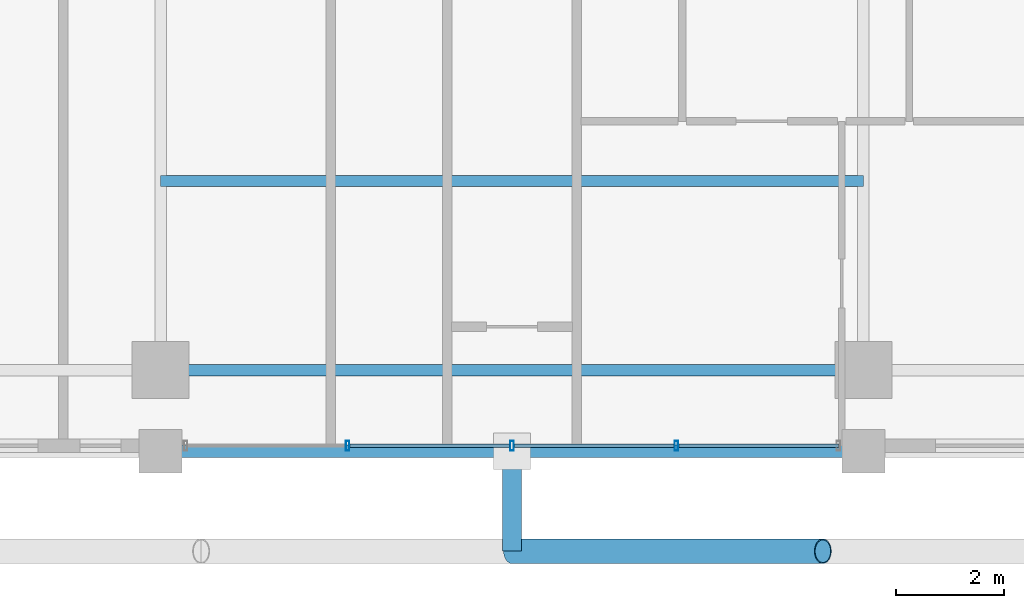
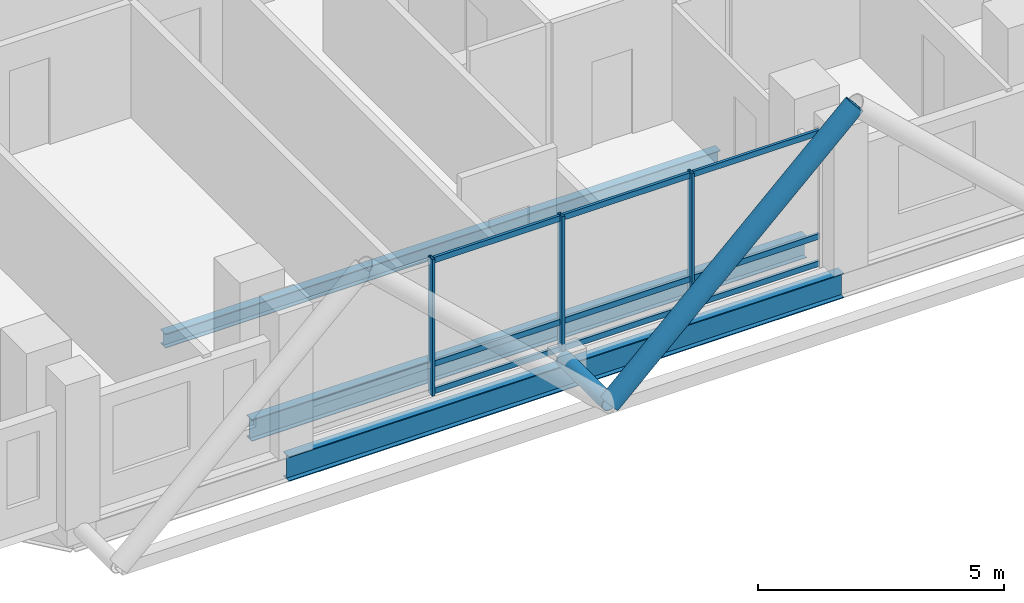
# One storey, part 4 of 26: 14 members, 3 beams, 1 element without a shape of its own.
"""IFC4 building model written with IfcOpenShell, lengths in metres."""

from ifc_helpers import new_model, si_unit, direction, frame, origin, origin_2d, place, context, subcontext, project, spatial, hollow_rectangle, hollow_circle, i_section, extrude, material, layer, layer_set, material_profile, profile_set, type_object, element, aggregate, save


model = new_model("IFC4")

# Units and contexts
model_context = context("Model", 3, precision=1e-05, world=origin(), true_north=direction((0.0, 1.0)))
body_context = subcontext(model_context, "Body", "Model", "MODEL_VIEW")
ifc_project = project(units=[si_unit("LENGTHUNIT", "METRE"), si_unit("AREAUNIT", "SQUARE_METRE"), si_unit("VOLUMEUNIT", "CUBIC_METRE"), si_unit("PLANEANGLEUNIT", "RADIAN"), si_unit("MASSUNIT", "GRAM", prefix="KILO")], contexts=[model_context])

# Site, building, storey
site_placement = place(None, origin())
site = spatial("IfcSite", under=ifc_project, at=site_placement, CompositionType="ELEMENT")
building_placement = place(site_placement, origin())
building = spatial("IfcBuilding", under=site, at=building_placement, Name="Barlavira Tower and Art Museum", CompositionType="ELEMENT")
storey_placement = place(building_placement, frame((0.0, 0.0, 176.39990234375)))
storey = spatial("IfcBuildingStorey", under=building, at=storey_placement, Name="L45", CompositionType="ELEMENT", Elevation=176.39990234375)

# Curtain wall, members
ifc_material_1 = material(Name="Low-iron coastal laminated glass", Category="glass")
ifc_layer = layer(ifc_material_1, 0.199951171875, Name="Low-iron coastal laminated glass")
ifc_layer_set = layer_set([ifc_layer], Name="Low-iron coastal laminated glass")
curtain_wall_type = type_object("IfcCurtainWallType", Name="Pale-Metal Unitised Curtain Wall Zone 3", PredefinedType="NOTDEFINED", material=ifc_layer_set)
curtain_wall_placement = place(storey_placement, origin())
curtain_wall = element("IfcCurtainWall", 1, at=curtain_wall_placement, inside=storey, type_object=curtain_wall_type, Name="L45 Curtain Wall CW3-L45-S-B3", PredefinedType="NOTDEFINED")
ifc_material_2 = material(Name="Pale anodised aluminium", Category="aluminium")
ifc_material_profile_1 = material_profile(ifc_material_2, hollow_rectangle(XDim=0.06494140625, YDim=0.179931640625, WallThickness=0.00390625, at=origin_2d()), Name="ALU-MULL 65x180x4")
ifc_profile_set_1 = profile_set([ifc_material_profile_1], Name="Pale anodised aluminium")
member_type_1 = type_object("IfcMemberType", Name="Curtain Wall Pale-Metal Mullion 65x180", PredefinedType="MULLION", material=ifc_profile_set_1)
member_1_placement = place(storey_placement, frame((-3.0400390625, -21.39990234375, 0.0), z_axis=(0.0, 0.0, 1.0), x_axis=(1.0, 0.0, 0.0)))
member_1 = element("IfcMember", 2, at=member_1_placement, type_object=member_type_1, Name="CW3-L45-S-B3 Mullion 1", PredefinedType="MULLION", context=body_context, shape_type="SweptSolid", body=[
    extrude(hollow_rectangle(XDim=0.06494140625, YDim=0.179931640625, WallThickness=0.00390625, at=origin_2d()), origin(), (0.0, 0.0, 1.0), 3.380126953125),
])
member_2_placement = place(storey_placement, frame((0.0, -21.39990234375, 0.0), z_axis=(0.0, 0.0, 1.0), x_axis=(1.0, 0.0, 0.0)))
member_2 = element("IfcMember", 3, at=member_2_placement, type_object=member_type_1, Name="CW3-L45-S-B3 Mullion 2", PredefinedType="MULLION", context=body_context, shape_type="SweptSolid", body=[
    extrude(hollow_rectangle(XDim=0.06494140625, YDim=0.179931640625, WallThickness=0.00390625, at=origin_2d()), origin(), (0.0, 0.0, 1.0), 3.380126953125),
])
member_3_placement = place(storey_placement, frame((3.0400390625, -21.39990234375, 0.0), z_axis=(0.0, 0.0, 1.0), x_axis=(1.0, 0.0, 0.0)))
member_3 = element("IfcMember", 4, at=member_3_placement, type_object=member_type_1, Name="CW3-L45-S-B3 Mullion 3", PredefinedType="MULLION", context=body_context, shape_type="SweptSolid", body=[
    extrude(hollow_rectangle(XDim=0.06494140625, YDim=0.179931640625, WallThickness=0.00390625, at=origin_2d()), origin(), (0.0, 0.0, 1.0), 3.380126953125),
])
ifc_material_profile_2 = material_profile(ifc_material_2, hollow_rectangle(XDim=0.06494140625, YDim=0.139892578125, WallThickness=0.00390625, at=origin_2d()), Name="ALU-TRAN 65x140x4")
ifc_profile_set_2 = profile_set([ifc_material_profile_2], Name="Pale anodised aluminium")
member_type_2 = type_object("IfcMemberType", Name="Curtain Wall Pale-Metal Transom 65x140", PredefinedType="USERDEFINED", material=ifc_profile_set_2)
member_4_placement = place(storey_placement, frame((-2.9951171875, -21.39990234375, 0.070068359375), z_axis=(1.0, 0.0, 0.0), x_axis=(0.0, 1.0, 0.0)))
member_4 = element("IfcMember", 5, at=member_4_placement, type_object=member_type_2, Name="CW3-L45-S-B3 Transom 1.1", ObjectType="TRANSOM", PredefinedType="USERDEFINED", context=body_context, shape_type="SweptSolid", body=[
    extrude(hollow_rectangle(XDim=0.06494140625, YDim=0.139892578125, WallThickness=0.00390625, at=origin_2d()), origin(), (0.0, 0.0, 1.0), 2.9501953125),
])
member_5_placement = place(storey_placement, frame((-2.9951171875, -21.39990234375, 0.744140625), z_axis=(1.0, 0.0, 0.0), x_axis=(0.0, 1.0, 0.0)))
member_5 = element("IfcMember", 6, at=member_5_placement, type_object=member_type_2, Name="CW3-L45-S-B3 Transom 1.2", ObjectType="TRANSOM", PredefinedType="USERDEFINED", context=body_context, shape_type="SweptSolid", body=[
    extrude(hollow_rectangle(XDim=0.06494140625, YDim=0.139892578125, WallThickness=0.00390625, at=origin_2d()), origin(), (0.0, 0.0, 1.0), 2.9501953125),
])
member_6_placement = place(storey_placement, frame((-2.9951171875, -21.39990234375, 3.31005859375), z_axis=(1.0, 0.0, 0.0), x_axis=(0.0, 1.0, 0.0)))
member_6 = element("IfcMember", 7, at=member_6_placement, type_object=member_type_2, Name="CW3-L45-S-B3 Transom 1.3", ObjectType="TRANSOM", PredefinedType="USERDEFINED", context=body_context, shape_type="SweptSolid", body=[
    extrude(hollow_rectangle(XDim=0.06494140625, YDim=0.139892578125, WallThickness=0.00390625, at=origin_2d()), origin(), (0.0, 0.0, 1.0), 2.9501953125),
])
member_7_placement = place(storey_placement, frame((0.044921875, -21.39990234375, 0.070068359375), z_axis=(1.0, 0.0, 0.0), x_axis=(0.0, 1.0, 0.0)))
member_7 = element("IfcMember", 8, at=member_7_placement, type_object=member_type_2, Name="CW3-L45-S-B3 Transom 2.1", ObjectType="TRANSOM", PredefinedType="USERDEFINED", context=body_context, shape_type="SweptSolid", body=[
    extrude(hollow_rectangle(XDim=0.06494140625, YDim=0.139892578125, WallThickness=0.00390625, at=origin_2d()), origin(), (0.0, 0.0, 1.0), 2.9501953125),
])
member_8_placement = place(storey_placement, frame((0.044921875, -21.39990234375, 0.744140625), z_axis=(1.0, 0.0, 0.0), x_axis=(0.0, 1.0, 0.0)))
member_8 = element("IfcMember", 9, at=member_8_placement, type_object=member_type_2, Name="CW3-L45-S-B3 Transom 2.2", ObjectType="TRANSOM", PredefinedType="USERDEFINED", context=body_context, shape_type="SweptSolid", body=[
    extrude(hollow_rectangle(XDim=0.06494140625, YDim=0.139892578125, WallThickness=0.00390625, at=origin_2d()), origin(), (0.0, 0.0, 1.0), 2.9501953125),
])
member_9_placement = place(storey_placement, frame((0.044921875, -21.39990234375, 3.31005859375), z_axis=(1.0, 0.0, 0.0), x_axis=(0.0, 1.0, 0.0)))
member_9 = element("IfcMember", 10, at=member_9_placement, type_object=member_type_2, Name="CW3-L45-S-B3 Transom 2.3", ObjectType="TRANSOM", PredefinedType="USERDEFINED", context=body_context, shape_type="SweptSolid", body=[
    extrude(hollow_rectangle(XDim=0.06494140625, YDim=0.139892578125, WallThickness=0.00390625, at=origin_2d()), origin(), (0.0, 0.0, 1.0), 2.9501953125),
])
member_10_placement = place(storey_placement, frame((3.0849609375, -21.39990234375, 0.070068359375), z_axis=(1.0, 0.0, 0.0), x_axis=(0.0, 1.0, 0.0)))
member_10 = element("IfcMember", 11, at=member_10_placement, type_object=member_type_2, Name="CW3-L45-S-B3 Transom 3.1", ObjectType="TRANSOM", PredefinedType="USERDEFINED", context=body_context, shape_type="SweptSolid", body=[
    extrude(hollow_rectangle(XDim=0.06494140625, YDim=0.139892578125, WallThickness=0.00390625, at=origin_2d()), origin(), (0.0, 0.0, 1.0), 2.949951171875),
])
member_11_placement = place(storey_placement, frame((3.0849609375, -21.39990234375, 0.744140625), z_axis=(1.0, 0.0, 0.0), x_axis=(0.0, 1.0, 0.0)))
member_11 = element("IfcMember", 12, at=member_11_placement, type_object=member_type_2, Name="CW3-L45-S-B3 Transom 3.2", ObjectType="TRANSOM", PredefinedType="USERDEFINED", context=body_context, shape_type="SweptSolid", body=[
    extrude(hollow_rectangle(XDim=0.06494140625, YDim=0.139892578125, WallThickness=0.00390625, at=origin_2d()), origin(), (0.0, 0.0, 1.0), 2.949951171875),
])
member_12_placement = place(storey_placement, frame((3.0849609375, -21.39990234375, 3.31005859375), z_axis=(1.0, 0.0, 0.0), x_axis=(0.0, 1.0, 0.0)))
member_12 = element("IfcMember", 13, at=member_12_placement, type_object=member_type_2, Name="CW3-L45-S-B3 Transom 3.3", ObjectType="TRANSOM", PredefinedType="USERDEFINED", context=body_context, shape_type="SweptSolid", body=[
    extrude(hollow_rectangle(XDim=0.06494140625, YDim=0.139892578125, WallThickness=0.00390625, at=origin_2d()), origin(), (0.0, 0.0, 1.0), 2.949951171875),
])
aggregate(curtain_wall, [member_1, member_2, member_3, member_4, member_5, member_6, member_7, member_8, member_9, member_10, member_11, member_12])

# Members
ifc_material_3 = material(Name="Steel S355", Category="steel")
ifc_material_profile_3 = material_profile(ifc_material_3, hollow_circle(Radius=0.228515625, WallThickness=0.02001953125, at=origin_2d()), Name="CHS 457.0x20.0")
ifc_profile_set_3 = profile_set([ifc_material_profile_3], Name="Steel S355")
member_type_3 = type_object("IfcMemberType", Name="Pale-Metal Exoskeleton Diagrid Tube CHS 457x20 Steel S355", PredefinedType="BRACE", material=ifc_profile_set_3)
member_13_placement = place(storey_placement, frame((0.0, -23.35009765625, -0.119873046875), z_axis=(0.728950095515, 0.0, 0.684566839869), x_axis=(0.0, 1.0, 0.0)))
element("IfcMember", 14, at=member_13_placement, inside=storey, type_object=member_type_3, Name="L45 Exoskeleton Diagrid Tube S", PredefinedType="BRACE", context=body_context, shape_type="SweptSolid", body=[
    extrude(hollow_circle(Radius=0.228515625, WallThickness=0.02001953125, at=origin_2d()), origin(), (0.0, 0.0, 1.0), 7.887939453125),
])
ifc_material_profile_4 = material_profile(ifc_material_3, hollow_circle(Radius=0.177734375, WallThickness=0.01611328125, at=origin_2d()), Name="CHS 355.6x16.0")
ifc_profile_set_4 = profile_set([ifc_material_profile_4], Name="Steel S355")
member_type_4 = type_object("IfcMemberType", Name="Pale-Metal Exoskeleton Tie Strut CHS 356x16 Steel S355", PredefinedType="STRUT", material=ifc_profile_set_4)
member_14_placement = place(storey_placement, frame((0.0, -23.35009765625, -0.119873046875), z_axis=(0.0, 1.0, 0.0), x_axis=(-1.0, 0.0, 0.0)))
element("IfcMember", 15, at=member_14_placement, inside=storey, type_object=member_type_4, Name="L45 Exoskeleton Tie Strut S2", PredefinedType="STRUT", context=body_context, shape_type="SweptSolid", body=[
    extrude(hollow_circle(Radius=0.177734375, WallThickness=0.01611328125, at=origin_2d()), origin(), (0.0, 0.0, 1.0), 1.85009765625),
])

# Beams
ifc_material_profile_5 = material_profile(ifc_material_3, i_section(OverallWidth=0.22998046875, OverallDepth=0.616943359375, WebThickness=0.01318359375, FlangeThickness=0.022216796875, at=origin_2d()), Name="W610x140.0")
ifc_profile_set_5 = profile_set([ifc_material_profile_5], Name="Steel S355")
beam_type_1 = type_object("IfcBeamType", Name="Upper Shaft Spandrel Edge Beam W610x140 Steel S355", PredefinedType="SPANDREL", material=ifc_profile_set_5)
beam_1_placement = place(storey_placement, frame((-6.5, -21.5, -0.5283203125), z_axis=(1.0, 0.0, 0.0), x_axis=(0.0, 1.0, 0.0)))
element("IfcBeam", 16, at=beam_1_placement, inside=storey, type_object=beam_type_1, Name="L45 Spandrel 2", PredefinedType="SPANDREL", context=body_context, shape_type="SweptSolid", body=[
    extrude(i_section(OverallWidth=0.22998046875, OverallDepth=0.616943359375, WebThickness=0.01318359375, FlangeThickness=0.022216796875, at=origin_2d()), origin(), (0.0, 0.0, 1.0), 13.0),
])
ifc_material_profile_6 = material_profile(ifc_material_3, i_section(OverallWidth=0.205078125, OverallDepth=0.35400390625, WebThickness=0.009521484375, FlangeThickness=0.016845703125, at=origin_2d()), Name="W360x79.0")
ifc_profile_set_6 = profile_set([ifc_material_profile_6], Name="Steel S355")
beam_type_2 = type_object("IfcBeamType", Name="Zone 3 Composite Floor Joist W360x79 Steel S355", PredefinedType="JOIST", material=ifc_profile_set_6)
beam_2_placement = place(storey_placement, frame((-6.5, -16.5, -0.39697265625), z_axis=(1.0, 0.0, 0.0), x_axis=(0.0, 1.0, 0.0)))
element("IfcBeam", 17, at=beam_2_placement, inside=storey, type_object=beam_type_2, Name="L45 Joist C1", PredefinedType="JOIST", context=body_context, shape_type="SweptSolid", body=[
    extrude(i_section(OverallWidth=0.205078125, OverallDepth=0.35400390625, WebThickness=0.009521484375, FlangeThickness=0.016845703125, at=origin_2d()), origin(), (0.0, 0.0, 1.0), 13.0),
])
ifc_material_profile_7 = material_profile(ifc_material_3, i_section(OverallWidth=0.2109375, OverallDepth=0.5390625, WebThickness=0.01171875, FlangeThickness=0.018798828125, at=origin_2d()), Name="W530x109.0")
ifc_profile_set_7 = profile_set([ifc_material_profile_7], Name="Steel S355")
beam_type_3 = type_object("IfcBeamType", Name="Zone 3-4 Primary Floor Girder W530x109 Steel S355", PredefinedType="BEAM", material=ifc_profile_set_7)
beam_3_placement = place(storey_placement, frame((-6.5, -20.0, -0.489501953125), z_axis=(1.0, 0.0, 0.0), x_axis=(0.0, 1.0, 0.0)))
element("IfcBeam", 18, at=beam_3_placement, inside=storey, type_object=beam_type_3, Name="L45 Girder M-S2", PredefinedType="BEAM", context=body_context, shape_type="SweptSolid", body=[
    extrude(i_section(OverallWidth=0.2109375, OverallDepth=0.5390625, WebThickness=0.01171875, FlangeThickness=0.018798828125, at=origin_2d()), origin(), (0.0, 0.0, 1.0), 13.0),
])

save(model, "model.ifc")
